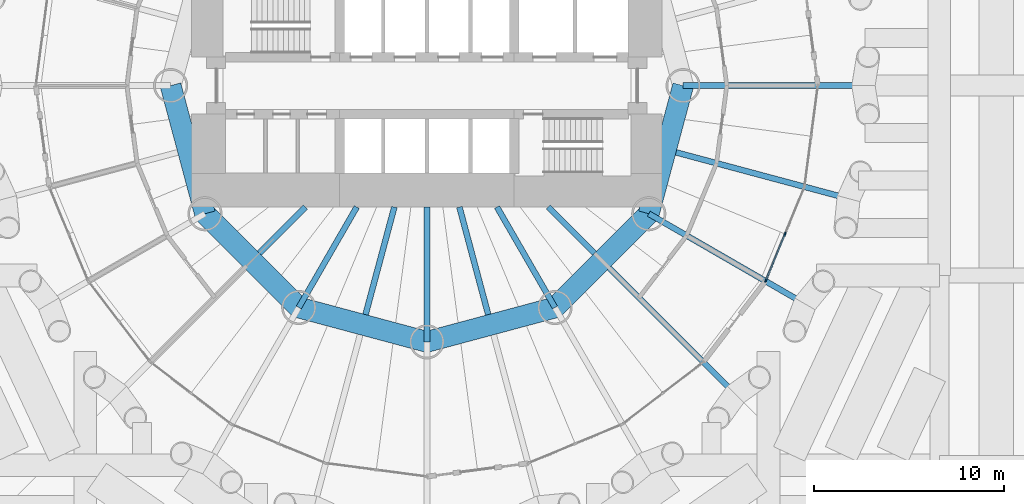
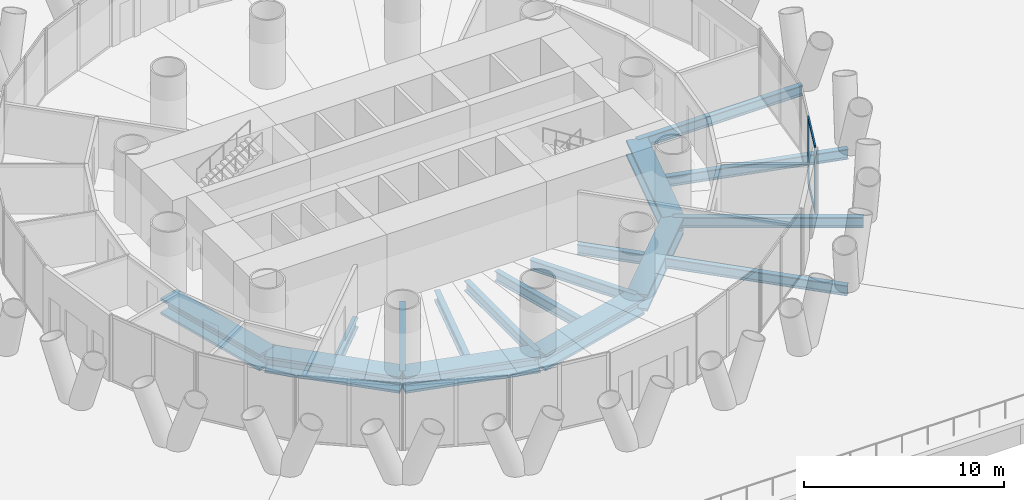
# One storey, part 4 of 19: 17 beams, 4 members, 1 element without a shape of its own.
"""IFC4 building model written with IfcOpenShell, lengths in metres."""

from ifc_helpers import new_model, si_unit, direction, frame, origin, origin_2d, place, context, subcontext, project, spatial, rectangle, i_section, extrude, material, material_profile, profile_set, type_object, element, aggregate, save


model = new_model("IFC4")

# Units and contexts
model_context = context("Model", 3, precision=1e-05, world=origin(), true_north=direction((0.0, 1.0)))
body_context = subcontext(model_context, "Body", "Model", "MODEL_VIEW")
ifc_project = project(units=[si_unit("LENGTHUNIT", "METRE"), si_unit("AREAUNIT", "SQUARE_METRE"), si_unit("VOLUMEUNIT", "CUBIC_METRE"), si_unit("PLANEANGLEUNIT", "RADIAN"), si_unit("MASSUNIT", "GRAM", prefix="KILO")], contexts=[model_context])

# Site, building, storey
site_placement = place(None, origin())
site = spatial("IfcSite", under=ifc_project, at=site_placement, CompositionType="ELEMENT")
building_placement = place(site_placement, origin())
building = spatial("IfcBuilding", under=site, at=building_placement, Name="Qaws Media Tower", CompositionType="ELEMENT")
storey_placement = place(building_placement, frame((0.0, 0.0, 26.0)))
storey = spatial("IfcBuildingStorey", under=building, at=storey_placement, Name="L04", CompositionType="ELEMENT", Elevation=26.0)

# Curtain wall, members
ifc_material_1 = material(Name="Aluminium and clear glass", Category="aluminium")
curtain_wall_type = type_object("IfcCurtainWallType", Name="Unitised curtain wall CW-A", PredefinedType="NOTDEFINED", material=ifc_material_1)
curtain_wall_placement = place(storey_placement, origin())
curtain_wall = element("IfcCurtainWall", 1, at=curtain_wall_placement, inside=storey, type_object=curtain_wall_type, Name="CWA curtain wall L04-23", PredefinedType="NOTDEFINED")
ifc_material_2 = material(Name="Aluminium mullion", Category="aluminium")
ifc_material_profile_1 = material_profile(ifc_material_2, rectangle(XDim=0.080078125, YDim=0.199951171875, at=origin_2d()), Name="80x200")
ifc_profile_set_1 = profile_set([ifc_material_profile_1], Name="Aluminium mullion")
member_type_1 = type_object("IfcMemberType", Name="Curtain wall mullion 80x200", PredefinedType="MULLION", material=ifc_profile_set_1)
member_1_placement = place(storey_placement, frame((77.85546875, 39.737060546875, 0.0), z_axis=(0.0, 0.0, 1.0), x_axis=(-0.923879521985, 0.382683457778, 0.0)))
member_1 = element("IfcMember", 2, at=member_1_placement, type_object=member_type_1, Name="CWA mullion 1", PredefinedType="MULLION", context=body_context, shape_type="SweptSolid", body=[
    extrude(rectangle(XDim=0.080078125, YDim=0.199951171875, at=origin_2d()), origin(), (0.0, 0.0, 1.0), 4.0400390625),
])
member_2_placement = place(storey_placement, frame((78.869140625, 42.18408203125, 0.0), z_axis=(0.0, 0.0, 1.0), x_axis=(-0.923879521985, 0.382683457778, 0.0)))
member_2 = element("IfcMember", 3, at=member_2_placement, type_object=member_type_1, Name="CWA mullion 2", PredefinedType="MULLION", context=body_context, shape_type="SweptSolid", body=[
    extrude(rectangle(XDim=0.080078125, YDim=0.199951171875, at=origin_2d()), origin(), (0.0, 0.0, 1.0), 4.0400390625),
])
ifc_material_3 = material(Name="Aluminium transom", Category="aluminium")
ifc_material_profile_2 = material_profile(ifc_material_3, rectangle(XDim=0.080078125, YDim=0.159912109375, at=origin_2d()), Name="80x160")
ifc_profile_set_2 = profile_set([ifc_material_profile_2], Name="Aluminium transom")
member_type_2 = type_object("IfcMemberType", Name="Curtain wall transom 80x160", PredefinedType="USERDEFINED", material=ifc_profile_set_2)
member_3_placement = place(storey_placement, frame((77.870849609375, 39.77392578125, 0.0400390625), z_axis=(0.382637188535, 0.923898685977, 0.0), x_axis=(-0.923898685977, 0.382637188535, 0.0)))
member_3 = element("IfcMember", 4, at=member_3_placement, type_object=member_type_2, Name="CWA transom 1.1", ObjectType="TRANSOM", PredefinedType="USERDEFINED", context=body_context, shape_type="SweptSolid", body=[
    extrude(rectangle(XDim=0.080078125, YDim=0.159912109375, at=origin_2d()), origin(), (0.0, 0.0, 1.0), 2.56884765625),
])
member_4_placement = place(storey_placement, frame((77.870849609375, 39.77392578125, 4.0), z_axis=(0.382637188535, 0.923898685977, 0.0), x_axis=(-0.923898685977, 0.382637188535, 0.0)))
member_4 = element("IfcMember", 5, at=member_4_placement, type_object=member_type_2, Name="CWA transom 1.2", ObjectType="TRANSOM", PredefinedType="USERDEFINED", context=body_context, shape_type="SweptSolid", body=[
    extrude(rectangle(XDim=0.080078125, YDim=0.159912109375, at=origin_2d()), origin(), (0.0, 0.0, 1.0), 2.56884765625),
])
aggregate(curtain_wall, [member_1, member_2, member_3, member_4])

# Beams
ifc_material_4 = material(Name="Steel S460", Category="steel")
ifc_material_profile_3 = material_profile(ifc_material_4, i_section(OverallWidth=1.10009765625, OverallDepth=1.0, WebThickness=0.06005859375, FlangeThickness=0.14990234375, at=origin_2d()), Name="PG 1000x1100")
ifc_profile_set_3 = profile_set([ifc_material_profile_3], Name="Steel S460")
beam_type_1 = type_object("IfcBeamType", Name="Inner ring girder PG 1000x1100", PredefinedType="BEAM", material=ifc_profile_set_3)
beam_1_placement = place(storey_placement, frame((46.5, 50.0, -0.659912109375), z_axis=(0.258810593767, -0.965928090778, 0.0), x_axis=(0.965928090778, 0.258810593767, 0.0)))
element("IfcBeam", 6, at=beam_1_placement, inside=storey, type_object=beam_type_1, Name="B3 inner ring beam L04 I07-I08", PredefinedType="BEAM", context=body_context, shape_type="SweptSolid", body=[
    extrude(i_section(OverallWidth=1.10009765625, OverallDepth=1.0, WebThickness=0.06005859375, FlangeThickness=0.14990234375, at=origin_2d()), origin(), (0.0, 0.0, 1.0), 6.988037109375),
])
beam_2_placement = place(storey_placement, frame((48.30859375, 43.25, -0.659912109375), z_axis=(0.707106781187, -0.707106781187, 0.0), x_axis=(0.707106781187, 0.707106781187, 0.0)))
element("IfcBeam", 7, at=beam_2_placement, inside=storey, type_object=beam_type_1, Name="B3 inner ring beam L04 I08-I09", PredefinedType="BEAM", context=body_context, shape_type="SweptSolid", body=[
    extrude(i_section(OverallWidth=1.10009765625, OverallDepth=1.0, WebThickness=0.06005859375, FlangeThickness=0.14990234375, at=origin_2d()), origin(), (0.0, 0.0, 1.0), 6.98828125),
])
for number, where, z_axis, x_axis, name in (
    (8, (53.25, 38.30859375, -0.659912109375), (0.965928090778, -0.258810593767, 0.0), (0.258810593767, 0.965928090778, 0.0), "B3 inner ring beam L04 I09-I10"),
    (9, (60.0, 36.5, -0.659912109375), (0.965928090778, 0.258810593767, 0.0), (-0.258810593767, 0.965928090778, 0.0), "B3 inner ring beam L04 I10-I11"),
):
    element("IfcBeam", number, at=place(storey_placement, frame(where, z_axis=z_axis, x_axis=x_axis)), inside=storey, type_object=beam_type_1, Name=name, PredefinedType="BEAM", context=body_context, shape_type="SweptSolid", body=[
        extrude(i_section(OverallWidth=1.10009765625, OverallDepth=1.0, WebThickness=0.06005859375, FlangeThickness=0.14990234375, at=origin_2d()), origin(), (0.0, 0.0, 1.0), 6.988037109375),
    ])
beam_3_placement = place(storey_placement, frame((66.75, 38.30859375, -0.659912109375), z_axis=(0.707106781187, 0.707106781187, 0.0), x_axis=(-0.707106781187, 0.707106781187, 0.0)))
element("IfcBeam", 10, at=beam_3_placement, inside=storey, type_object=beam_type_1, Name="B3 inner ring beam L04 I11-I12", PredefinedType="BEAM", context=body_context, shape_type="SweptSolid", body=[
    extrude(i_section(OverallWidth=1.10009765625, OverallDepth=1.0, WebThickness=0.06005859375, FlangeThickness=0.14990234375, at=origin_2d()), origin(), (0.0, 0.0, 1.0), 6.98828125),
])
beam_4_placement = place(storey_placement, frame((71.69140625, 43.25, -0.659912109375), z_axis=(0.258810593767, 0.965928090778, 0.0), x_axis=(-0.965928090778, 0.258810593767, 0.0)))
element("IfcBeam", 11, at=beam_4_placement, inside=storey, type_object=beam_type_1, Name="B3 inner ring beam L04 I12-I01", PredefinedType="BEAM", context=body_context, shape_type="SweptSolid", body=[
    extrude(i_section(OverallWidth=1.10009765625, OverallDepth=1.0, WebThickness=0.06005859375, FlangeThickness=0.14990234375, at=origin_2d()), origin(), (0.0, 0.0, 1.0), 6.988037109375),
])
ifc_material_5 = material(Name="Steel S355", Category="steel")
ifc_material_profile_4 = material_profile(ifc_material_5, i_section(OverallWidth=0.304931640625, OverallDepth=0.6201171875, WebThickness=0.02099609375, FlangeThickness=0.0400390625, FilletRadius=0.027099609375, at=origin_2d()), Name="HE 600 M")
ifc_profile_set_4 = profile_set([ifc_material_profile_4], Name="Steel S355")
beam_type_2 = type_object("IfcBeamType", Name="Radial beam HE 600 M", PredefinedType="BEAM", material=ifc_profile_set_4)
beam_5_placement = place(storey_placement, frame((73.5, 50.0, -0.469970703125), z_axis=(1.0, 0.0, 0.0), x_axis=(0.0, 1.0, 0.0)))
element("IfcBeam", 12, at=beam_5_placement, inside=storey, type_object=beam_type_2, Name="B1 radial beam L04 01", PredefinedType="BEAM", context=body_context, shape_type="SweptSolid", body=[
    extrude(i_section(OverallWidth=0.304931640625, OverallDepth=0.6201171875, WebThickness=0.02099609375, FlangeThickness=0.0400390625, FilletRadius=0.027099609375, at=origin_2d()), origin(), (0.0, 0.0, 1.0), 9.5),
])
beam_6_placement = place(storey_placement, frame((69.609619140625, 40.390380859375, -0.469970703125), z_axis=(0.707106781187, -0.707106781187, 0.0), x_axis=(0.707106781187, 0.707106781187, 0.0)))
element("IfcBeam", 13, at=beam_6_placement, inside=storey, type_object=beam_type_2, Name="B1 radial beam L04 22", PredefinedType="BEAM", context=body_context, shape_type="SweptSolid", body=[
    extrude(i_section(OverallWidth=0.304931640625, OverallDepth=0.6201171875, WebThickness=0.02099609375, FlangeThickness=0.0400390625, FilletRadius=0.027099609375, at=origin_2d()), origin(), (0.0, 0.0, 1.0), 9.409912109375),
])
beam_7_placement = place(storey_placement, frame((71.69140625, 43.25, -0.469970703125), z_axis=(0.86602681393, -0.499997557548, 0.0), x_axis=(0.499997557548, 0.86602681393, 0.0)))
element("IfcBeam", 14, at=beam_7_placement, inside=storey, type_object=beam_type_2, Name="B1 radial beam L04 23", PredefinedType="BEAM", context=body_context, shape_type="SweptSolid", body=[
    extrude(i_section(OverallWidth=0.304931640625, OverallDepth=0.6201171875, WebThickness=0.02099609375, FlangeThickness=0.0400390625, FilletRadius=0.027099609375, at=origin_2d()), origin(), (0.0, 0.0, 1.0), 9.5),
])
beam_8_placement = place(storey_placement, frame((73.126953125, 46.482666015625, -0.469970703125), z_axis=(0.965924194565, -0.258825134703, 0.0), x_axis=(0.258825134703, 0.965924194565, 0.0)))
element("IfcBeam", 15, at=beam_8_placement, inside=storey, type_object=beam_type_2, Name="B1 radial beam L04 24", PredefinedType="BEAM", context=body_context, shape_type="SweptSolid", body=[
    extrude(i_section(OverallWidth=0.304931640625, OverallDepth=0.6201171875, WebThickness=0.02099609375, FlangeThickness=0.0400390625, FilletRadius=0.027099609375, at=origin_2d()), origin(), (0.0, 0.0, 1.0), 9.409912109375),
])
ifc_material_6 = material(Name="Steel S355", Category="steel")
ifc_material_profile_5 = material_profile(ifc_material_6, i_section(OverallWidth=0.304931640625, OverallDepth=0.6201171875, WebThickness=0.02099609375, FlangeThickness=0.0400390625, FilletRadius=0.027099609375, at=origin_2d()), Name="HE 600 M")
ifc_profile_set_5 = profile_set([ifc_material_profile_5], Name="Steel S355")
beam_type_3 = type_object("IfcBeamType", Name="Radial beam HE 600 M, core side", PredefinedType="BEAM", material=ifc_profile_set_5)
beam_9_placement = place(storey_placement, frame((53.60009765625, 43.60009765625, -0.469970703125), z_axis=(-0.707106781187, -0.707106781187, 0.0), x_axis=(0.707106781187, -0.707106781187, 0.0)))
element("IfcBeam", 16, at=beam_9_placement, inside=storey, type_object=beam_type_3, Name="B2 radial beam L04 16", PredefinedType="BEAM", context=body_context, shape_type="SweptSolid", body=[
    extrude(i_section(OverallWidth=0.304931640625, OverallDepth=0.6201171875, WebThickness=0.02099609375, FlangeThickness=0.0400390625, FilletRadius=0.027099609375, at=origin_2d()), origin(), (0.0, 0.0, 1.0), 3.439208984375),
])
beam_10_placement = place(storey_placement, frame((56.304931640625, 43.60009765625, -0.469970703125), z_axis=(-0.49998532359, -0.866033877048, 0.0), x_axis=(0.866033877048, -0.49998532359, 0.0)))
element("IfcBeam", 17, at=beam_10_placement, inside=storey, type_object=beam_type_3, Name="B2 radial beam L04 17", PredefinedType="BEAM", context=body_context, shape_type="SweptSolid", body=[
    extrude(i_section(OverallWidth=0.304931640625, OverallDepth=0.6201171875, WebThickness=0.02099609375, FlangeThickness=0.0400390625, FilletRadius=0.027099609375, at=origin_2d()), origin(), (0.0, 0.0, 1.0), 6.110107421875),
])
beam_11_placement = place(storey_placement, frame((58.28515625, 43.60009765625, -0.469970703125), z_axis=(-0.258820709001, -0.965925380447, 0.0), x_axis=(0.965925380447, -0.258820709001, 0.0)))
element("IfcBeam", 18, at=beam_11_placement, inside=storey, type_object=beam_type_3, Name="B2 radial beam L04 18", PredefinedType="BEAM", context=body_context, shape_type="SweptSolid", body=[
    extrude(i_section(OverallWidth=0.304931640625, OverallDepth=0.6201171875, WebThickness=0.02099609375, FlangeThickness=0.0400390625, FilletRadius=0.027099609375, at=origin_2d()), origin(), (0.0, 0.0, 1.0), 5.8642578125),
])
beam_12_placement = place(storey_placement, frame((60.0, 43.60009765625, -0.469970703125), z_axis=(0.0, -1.0, 0.0), x_axis=(1.0, 0.0, 0.0)))
element("IfcBeam", 19, at=beam_12_placement, inside=storey, type_object=beam_type_3, Name="B2 radial beam L04 19", PredefinedType="BEAM", context=body_context, shape_type="SweptSolid", body=[
    extrude(i_section(OverallWidth=0.304931640625, OverallDepth=0.6201171875, WebThickness=0.02099609375, FlangeThickness=0.0400390625, FilletRadius=0.027099609375, at=origin_2d()), origin(), (0.0, 0.0, 1.0), 7.10009765625),
])
beam_13_placement = place(storey_placement, frame((61.71484375, 43.60009765625, -0.469970703125), z_axis=(0.258820709001, -0.965925380447, 0.0), x_axis=(0.965925380447, 0.258820709001, 0.0)))
element("IfcBeam", 20, at=beam_13_placement, inside=storey, type_object=beam_type_3, Name="B2 radial beam L04 20", PredefinedType="BEAM", context=body_context, shape_type="SweptSolid", body=[
    extrude(i_section(OverallWidth=0.304931640625, OverallDepth=0.6201171875, WebThickness=0.02099609375, FlangeThickness=0.0400390625, FilletRadius=0.027099609375, at=origin_2d()), origin(), (0.0, 0.0, 1.0), 5.8642578125),
])
beam_14_placement = place(storey_placement, frame((63.695068359375, 43.60009765625, -0.469970703125), z_axis=(0.49998532359, -0.866033877048, 0.0), x_axis=(0.866033877048, 0.49998532359, 0.0)))
element("IfcBeam", 21, at=beam_14_placement, inside=storey, type_object=beam_type_3, Name="B2 radial beam L04 21", PredefinedType="BEAM", context=body_context, shape_type="SweptSolid", body=[
    extrude(i_section(OverallWidth=0.304931640625, OverallDepth=0.6201171875, WebThickness=0.02099609375, FlangeThickness=0.0400390625, FilletRadius=0.027099609375, at=origin_2d()), origin(), (0.0, 0.0, 1.0), 6.110107421875),
])
beam_15_placement = place(storey_placement, frame((66.39990234375, 43.60009765625, -0.469970703125), z_axis=(0.707106781187, -0.707106781187, 0.0), x_axis=(0.707106781187, 0.707106781187, 0.0)))
element("IfcBeam", 22, at=beam_15_placement, inside=storey, type_object=beam_type_3, Name="B2 radial beam L04 22", PredefinedType="BEAM", context=body_context, shape_type="SweptSolid", body=[
    extrude(i_section(OverallWidth=0.304931640625, OverallDepth=0.6201171875, WebThickness=0.02099609375, FlangeThickness=0.0400390625, FilletRadius=0.027099609375, at=origin_2d()), origin(), (0.0, 0.0, 1.0), 3.439208984375),
])

save(model, "model.ifc")
